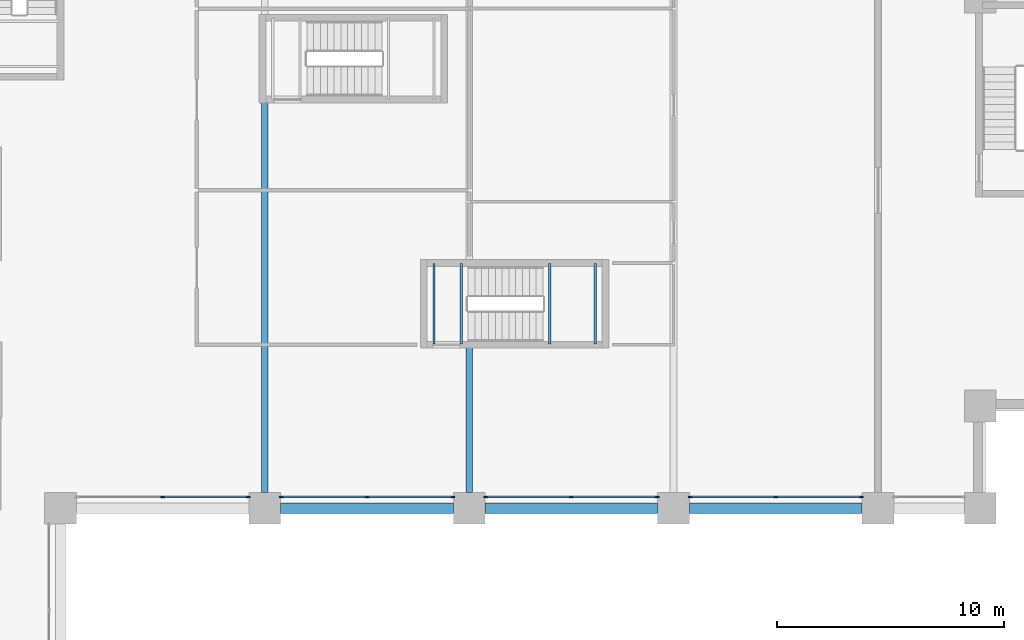
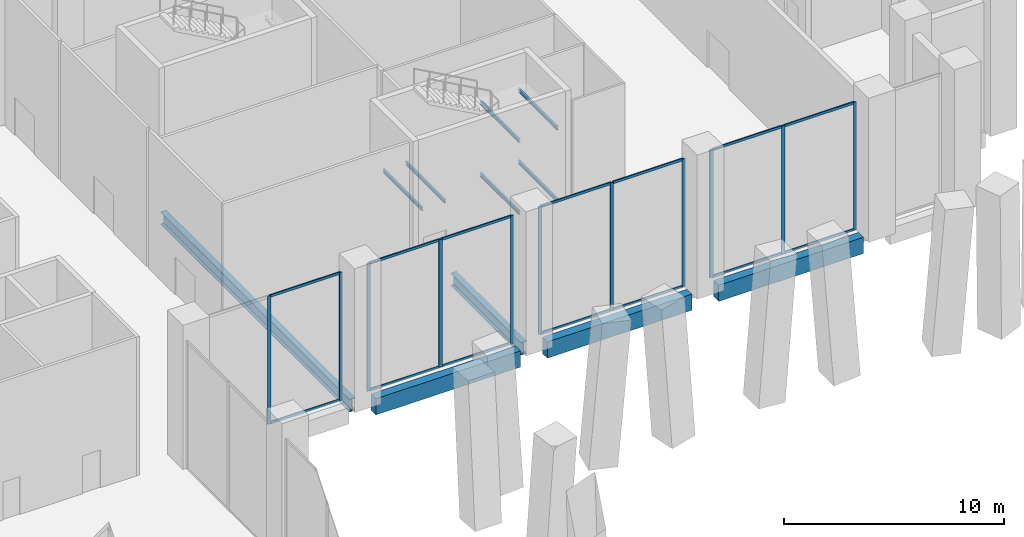
# One storey, part 6 of 19: 25 members, 11 beams, 4 elements without a shape of their own.
"""IFC4 building model written with IfcOpenShell, lengths in metres."""

import ifcopenshell
import ifcopenshell.guid

model = None  # the IFC model being written
_history = None  # IfcOwnerHistory: only IFC2X3 demands one
_inside = {}  # id of a spatial element -> (the spatial element, [elements in it])
_under = {}  # id of a project, library or spatial element -> (it, [spatial elements below it])
_declared = {}  # id of a project -> (the project, [libraries it declares])
_typed = {}  # id of a type object -> (the type object, [elements of that type])
_made_of = {}  # id of a material, layer set ... -> (it, [elements and type objects made of it])


def new_model(schema):
    """Start an empty IFC model of exactly this schema.

    Asked for "IFC4X3", IfcOpenShell would pick the latest addendum, in which some entities
    have other attributes; the version numbers below select the first issue.
    IFC2X3 requires an IfcOwnerHistory on every rooted entity: one is made here for all.
    """
    global model, _history
    if schema == "IFC4X3":
        model = ifcopenshell.file(schema_version=(4, 3, 0, 0))
    else:
        model = ifcopenshell.file(schema=schema)
    _inside.clear()
    _under.clear()
    _declared.clear()
    _typed.clear()
    _made_of.clear()
    _history = None
    if model.schema == "IFC2X3":
        org = make("IfcOrganization", Name="unknown")
        user = make(
            "IfcPersonAndOrganization",
            ThePerson=make("IfcPerson", FamilyName="unknown"),
            TheOrganization=org,
        )
        app = make(
            "IfcApplication",
            ApplicationDeveloper=org,
            Version="unknown",
            ApplicationFullName="unknown",
            ApplicationIdentifier="unknown",
        )
        _history = make(
            "IfcOwnerHistory",
            OwningUser=user,
            OwningApplication=app,
            ChangeAction="ADDED",
            CreationDate=0,
        )
    return model


def make(cls, **values):
    """One entity of the class cls with the attributes given. An attribute that is None is left unset."""
    return model.create_entity(
        cls, **{name: value for name, value in values.items() if value is not None}
    )


def rooted(cls, **values):
    """An entity with a GlobalId (a new one), such as an element, a storey or a relation."""
    return make(cls, GlobalId=ifcopenshell.guid.new(), OwnerHistory=_history, **values)


def si_unit(unit_type, name, prefix=None):
    """IfcSIUnit, for example si_unit("LENGTHUNIT", "METRE", prefix="MILLI")."""
    return make("IfcSIUnit", UnitType=unit_type, Prefix=prefix, Name=name)


def assignment(units):
    """IfcUnitAssignment: the units of a project."""
    return None if units is None else make("IfcUnitAssignment", Units=units)


def point(xyz):
    """IfcCartesianPoint."""
    return None if xyz is None else make("IfcCartesianPoint", Coordinates=xyz)


def direction(xyz):
    """IfcDirection."""
    return None if xyz is None else make("IfcDirection", DirectionRatios=xyz)


def frame(location, z_axis=None, x_axis=None):
    """IfcAxis2Placement3D, a coordinate frame: its origin and axes. An axis left out is left unset."""
    return make(
        "IfcAxis2Placement3D",
        Location=point(location),
        Axis=direction(z_axis),
        RefDirection=direction(x_axis),
    )


def frame_2d(location, x_axis=None):
    """IfcAxis2Placement2D, a coordinate frame in the plane: its origin and x axis."""
    return make(
        "IfcAxis2Placement2D", Location=point(location), RefDirection=direction(x_axis)
    )


def origin():
    """The frame at (0, 0, 0) with its axes left unset."""
    return frame((0.0, 0.0, 0.0))


def origin_2d():
    """The frame at (0, 0) in the plane with its x axis left unset."""
    return frame_2d((0.0, 0.0))


def place(relative_to, where):
    """IfcLocalPlacement: puts the frame where relative to a parent placement (None: the world)."""
    return make(
        "IfcLocalPlacement", PlacementRelTo=relative_to, RelativePlacement=where
    )


def context(
    kind, dimensions, precision=None, world=None, true_north=None, identifier=None
):
    """IfcGeometricRepresentationContext, for example the 3D "Model" context."""
    return make(
        "IfcGeometricRepresentationContext",
        ContextIdentifier=identifier,
        ContextType=kind,
        CoordinateSpaceDimension=dimensions,
        Precision=precision,
        WorldCoordinateSystem=world,
        TrueNorth=true_north,
    )


def subcontext(parent, identifier, kind, view, scale=None):
    """IfcGeometricRepresentationSubContext, for example "Body" below "Model"."""
    return make(
        "IfcGeometricRepresentationSubContext",
        ContextIdentifier=identifier,
        ContextType=kind,
        ParentContext=parent,
        TargetScale=scale,
        TargetView=view,
    )


def project(units=None, contexts=None):
    """IfcProject with its units and contexts."""
    return rooted(
        "IfcProject",
        Name="project",
        RepresentationContexts=contexts,
        UnitsInContext=assignment(units),
    )


def spatial(cls, under=None, at=None, **own):
    """A site, building, storey or space (cls), placed at a placement, below another one or the project."""
    s = rooted(cls, ObjectPlacement=at, **own)
    if under is not None:
        _under.setdefault(under.id(), (under, []))[1].append(s)
    return s


def profile(cls, at=None, kind="AREA", **sizes):
    """A parametric profile (cls). Its sizes go by their IFC names, for example OverallWidth=200.0."""
    return make(cls, ProfileType=kind, Position=at, **sizes)


def rectangle(**sizes):
    """IfcRectangleProfileDef."""
    return profile("IfcRectangleProfileDef", **sizes)


def i_section(**sizes):
    """IfcIShapeProfileDef."""
    return profile("IfcIShapeProfileDef", **sizes)


def extrude(swept, where, along, depth):
    """IfcExtrudedAreaSolid: the profile swept, set in the frame where, extruded along a direction by depth."""
    return make(
        "IfcExtrudedAreaSolid",
        SweptArea=swept,
        Position=where,
        ExtrudedDirection=direction(along),
        Depth=depth,
    )


def shape(context_of_items, identifier, shape_type, items):
    """IfcShapeRepresentation: the items that make up one representation, for example the "Body"."""
    return make(
        "IfcShapeRepresentation",
        ContextOfItems=context_of_items,
        RepresentationIdentifier=identifier,
        RepresentationType=shape_type,
        Items=items,
    )


def material(Name=None, Category=None):
    """IfcMaterial."""
    return make("IfcMaterial", Name=Name, Category=Category)


def material_profile(
    of_material, cross_section, Name=None, Category=None, Priority=None
):
    """IfcMaterialProfile: a cross section and its material."""
    return make(
        "IfcMaterialProfile",
        Name=Name,
        Material=of_material,
        Profile=cross_section,
        Priority=Priority,
        Category=Category,
    )


def profile_set(profiles, Name=None, composite=None):
    """IfcMaterialProfileSet."""
    return make(
        "IfcMaterialProfileSet",
        Name=Name,
        MaterialProfiles=profiles,
        CompositeProfile=composite,
    )


def made_of(thing, what):
    """Note that an element or type object is made of a material, layer set ...; save() writes the relation."""
    if what is not None:
        _made_of.setdefault(what.id(), (what, []))[1].append(thing)
    return thing


def type_object(cls, material=None, **own):
    """A type object (cls), such as IfcWallType, which elements share."""
    return made_of(rooted(cls, **own), material)


def element(
    cls,
    number,
    at=None,
    inside=None,
    cuts=None,
    type_object=None,
    material=None,
    context=None,
    identifier="Body",
    shape_type=None,
    held_by="IfcProductDefinitionShape",
    body=None,
    shapes=None,
    **own,
):
    """One element of the class cls, such as IfcWall. Its Tag is "e" and its number.

    at: its placement. inside: the storey or other place that contains it. cuts: it is an
    opening in that element (IfcRelVoidsElement). A single representation is given by context,
    identifier, shape_type and body (its items); several are given by shapes. held_by: the class
    of the entity that holds the representations. save() writes the other relations.
    """
    e = rooted(cls, Tag="e%d" % number, ObjectPlacement=at, **own)
    if body is not None:
        shapes = [shape(context, identifier, shape_type, body)]
    if shapes is not None:
        e.Representation = make(held_by, Representations=shapes)
    if inside is not None:
        _inside.setdefault(inside.id(), (inside, []))[1].append(e)
    if cuts is not None:
        rooted(
            "IfcRelVoidsElement", RelatingBuildingElement=cuts, RelatedOpeningElement=e
        )
    if type_object is not None:
        _typed.setdefault(type_object.id(), (type_object, []))[1].append(e)
    return made_of(e, material)


def aggregate(whole, parts):
    """IfcRelAggregates: a whole, such as a stair, and the parts it consists of."""
    return rooted("IfcRelAggregates", RelatingObject=whole, RelatedObjects=parts)


def save(model, path):
    """Write the relations noted so far, then the file.

    IfcRelAggregates (storeys below a building ...), IfcRelContainedInSpatialStructure (elements
    in a storey), IfcRelDefinesByType, IfcRelAssociatesMaterial and IfcRelDeclares: one each for
    every whole, place, type object, material and project.
    """
    for whole, parts in _under.values():
        aggregate(whole, parts)
    for where, things in _inside.values():
        rooted(
            "IfcRelContainedInSpatialStructure",
            RelatedElements=things,
            RelatingStructure=where,
        )
    for kind, things in _typed.values():
        rooted("IfcRelDefinesByType", RelatedObjects=things, RelatingType=kind)
    for what, things in _made_of.values():
        rooted("IfcRelAssociatesMaterial", RelatedObjects=things, RelatingMaterial=what)
    for by, libraries in _declared.values():
        rooted("IfcRelDeclares", RelatingContext=by, RelatedDefinitions=libraries)
    model.write(path)


model = new_model("IFC4")

# Units and contexts
model_context = context("Model", 3, precision=1e-05, world=origin(), true_north=direction((0.0, 1.0)))
body_context = subcontext(model_context, "Body", "Model", "MODEL_VIEW")
ifc_project = project(units=[si_unit("LENGTHUNIT", "METRE"), si_unit("AREAUNIT", "SQUARE_METRE"), si_unit("VOLUMEUNIT", "CUBIC_METRE"), si_unit("PLANEANGLEUNIT", "RADIAN"), si_unit("MASSUNIT", "GRAM", prefix="KILO")], contexts=[model_context])

# Site, building, storey
site_placement = place(None, origin())
site = spatial("IfcSite", under=ifc_project, at=site_placement, CompositionType="ELEMENT")
building_placement = place(site_placement, origin())
building = spatial("IfcBuilding", under=site, at=building_placement, Name="Brondeck Convention Tower", CompositionType="ELEMENT")
storey_placement = place(building_placement, frame((0.0, 0.0, 19.5)))
storey = spatial("IfcBuildingStorey", under=building, at=storey_placement, Name="L03", CompositionType="ELEMENT", Elevation=19.5)

# Curtain wall, members
ifc_material_1 = material(Name="Aluminium, bronze anodised", Category="aluminium")
curtain_wall_type = type_object("IfcCurtainWallType", Name="Podium hall curtain wall", PredefinedType="NOTDEFINED", material=ifc_material_1)
curtain_wall_1_placement = place(storey_placement, origin())
curtain_wall_1 = element("IfcCurtainWall", 1, at=curtain_wall_1_placement, inside=storey, type_object=curtain_wall_type, Name="ENV-CW2-L03-A-S-01", PredefinedType="NOTDEFINED")
ifc_material_profile_1 = material_profile(ifc_material_1, rectangle(XDim=0.06005859375, YDim=0.179931640625, at=origin_2d()), Name="CW2 mullion")
ifc_profile_set_1 = profile_set([ifc_material_profile_1], Name="Aluminium, bronze anodised")
member_type_1 = type_object("IfcMemberType", Name="CW2 mullion", PredefinedType="MULLION", material=ifc_profile_set_1)
member_1_placement = place(storey_placement, frame((35.27001953125, 36.5, 0.0), z_axis=(0.0, 0.0, 1.0), x_axis=(0.0, -1.0, 0.0)))
member_1 = element("IfcMember", 2, at=member_1_placement, type_object=member_type_1, Name="CW2 mullion 1", PredefinedType="MULLION", context=body_context, shape_type="SweptSolid", body=[
    extrude(rectangle(XDim=0.06005859375, YDim=0.179931640625, at=origin_2d()), origin(), (0.0, 0.0, 1.0), 7.10009765625),
])
member_2_placement = place(storey_placement, frame((31.5, 36.5, 0.0), z_axis=(0.0, 0.0, 1.0), x_axis=(0.0, -1.0, 0.0)))
member_2 = element("IfcMember", 3, at=member_2_placement, type_object=member_type_1, Name="CW2 mullion 2", PredefinedType="MULLION", context=body_context, shape_type="SweptSolid", body=[
    extrude(rectangle(XDim=0.06005859375, YDim=0.179931640625, at=origin_2d()), origin(), (0.0, 0.0, 1.0), 7.10009765625),
])

curtain_wall_2_placement = place(storey_placement, origin())
curtain_wall_2 = element("IfcCurtainWall", 4, at=curtain_wall_2_placement, inside=storey, type_object=curtain_wall_type, Name="ENV-CW2-L03-A-S-03", PredefinedType="NOTDEFINED")
member_3_placement = place(storey_placement, frame((44.27001953125, 36.5, 0.0), z_axis=(0.0, 0.0, 1.0), x_axis=(0.0, -1.0, 0.0)))
member_3 = element("IfcMember", 5, at=member_3_placement, type_object=member_type_1, Name="CW2 mullion 1", PredefinedType="MULLION", context=body_context, shape_type="SweptSolid", body=[
    extrude(rectangle(XDim=0.06005859375, YDim=0.179931640625, at=origin_2d()), origin(), (0.0, 0.0, 1.0), 7.10009765625),
])
member_4_placement = place(storey_placement, frame((40.5, 36.5, 0.0), z_axis=(0.0, 0.0, 1.0), x_axis=(0.0, -1.0, 0.0)))
member_4 = element("IfcMember", 6, at=member_4_placement, type_object=member_type_1, Name="CW2 mullion 2", PredefinedType="MULLION", context=body_context, shape_type="SweptSolid", body=[
    extrude(rectangle(XDim=0.06005859375, YDim=0.179931640625, at=origin_2d()), origin(), (0.0, 0.0, 1.0), 7.10009765625),
])
member_5_placement = place(storey_placement, frame((36.72998046875, 36.5, 0.0), z_axis=(0.0, 0.0, 1.0), x_axis=(0.0, -1.0, 0.0)))
member_5 = element("IfcMember", 7, at=member_5_placement, type_object=member_type_1, Name="CW2 mullion 3", PredefinedType="MULLION", context=body_context, shape_type="SweptSolid", body=[
    extrude(rectangle(XDim=0.06005859375, YDim=0.179931640625, at=origin_2d()), origin(), (0.0, 0.0, 1.0), 7.10009765625),
])

curtain_wall_3_placement = place(storey_placement, origin())
curtain_wall_3 = element("IfcCurtainWall", 8, at=curtain_wall_3_placement, inside=storey, type_object=curtain_wall_type, Name="ENV-CW2-L03-A-S-05", PredefinedType="NOTDEFINED")
member_6_placement = place(storey_placement, frame((53.27001953125, 36.5, 0.0), z_axis=(0.0, 0.0, 1.0), x_axis=(0.0, -1.0, 0.0)))
member_6 = element("IfcMember", 9, at=member_6_placement, type_object=member_type_1, Name="CW2 mullion 1", PredefinedType="MULLION", context=body_context, shape_type="SweptSolid", body=[
    extrude(rectangle(XDim=0.06005859375, YDim=0.179931640625, at=origin_2d()), origin(), (0.0, 0.0, 1.0), 7.10009765625),
])
member_7_placement = place(storey_placement, frame((49.5, 36.5, 0.0), z_axis=(0.0, 0.0, 1.0), x_axis=(0.0, -1.0, 0.0)))
member_7 = element("IfcMember", 10, at=member_7_placement, type_object=member_type_1, Name="CW2 mullion 2", PredefinedType="MULLION", context=body_context, shape_type="SweptSolid", body=[
    extrude(rectangle(XDim=0.06005859375, YDim=0.179931640625, at=origin_2d()), origin(), (0.0, 0.0, 1.0), 7.10009765625),
])
member_8_placement = place(storey_placement, frame((45.72998046875, 36.5, 0.0), z_axis=(0.0, 0.0, 1.0), x_axis=(0.0, -1.0, 0.0)))
member_8 = element("IfcMember", 11, at=member_8_placement, type_object=member_type_1, Name="CW2 mullion 3", PredefinedType="MULLION", context=body_context, shape_type="SweptSolid", body=[
    extrude(rectangle(XDim=0.06005859375, YDim=0.179931640625, at=origin_2d()), origin(), (0.0, 0.0, 1.0), 7.10009765625),
])

curtain_wall_4_placement = place(storey_placement, origin())
curtain_wall_4 = element("IfcCurtainWall", 12, at=curtain_wall_4_placement, inside=storey, type_object=curtain_wall_type, Name="ENV-CW2-L03-A-S-07", PredefinedType="NOTDEFINED")
member_9_placement = place(storey_placement, frame((62.27001953125, 36.5, 0.0), z_axis=(0.0, 0.0, 1.0), x_axis=(0.0, -1.0, 0.0)))
member_9 = element("IfcMember", 13, at=member_9_placement, type_object=member_type_1, Name="CW2 mullion 1", PredefinedType="MULLION", context=body_context, shape_type="SweptSolid", body=[
    extrude(rectangle(XDim=0.06005859375, YDim=0.179931640625, at=origin_2d()), origin(), (0.0, 0.0, 1.0), 7.10009765625),
])
member_10_placement = place(storey_placement, frame((58.5, 36.5, 0.0), z_axis=(0.0, 0.0, 1.0), x_axis=(0.0, -1.0, 0.0)))
member_10 = element("IfcMember", 14, at=member_10_placement, type_object=member_type_1, Name="CW2 mullion 2", PredefinedType="MULLION", context=body_context, shape_type="SweptSolid", body=[
    extrude(rectangle(XDim=0.06005859375, YDim=0.179931640625, at=origin_2d()), origin(), (0.0, 0.0, 1.0), 7.10009765625),
])
member_11_placement = place(storey_placement, frame((54.72998046875, 36.5, 0.0), z_axis=(0.0, 0.0, 1.0), x_axis=(0.0, -1.0, 0.0)))
member_11 = element("IfcMember", 15, at=member_11_placement, type_object=member_type_1, Name="CW2 mullion 3", PredefinedType="MULLION", context=body_context, shape_type="SweptSolid", body=[
    extrude(rectangle(XDim=0.06005859375, YDim=0.179931640625, at=origin_2d()), origin(), (0.0, 0.0, 1.0), 7.10009765625),
])

# Member
ifc_material_profile_2 = material_profile(ifc_material_1, rectangle(XDim=0.06005859375, YDim=0.139892578125, at=origin_2d()), Name="CW2 transom")
ifc_profile_set_2 = profile_set([ifc_material_profile_2], Name="Aluminium, bronze anodised")
member_type_2 = type_object("IfcMemberType", Name="CW2 transom", PredefinedType="USERDEFINED", material=ifc_profile_set_2)
member_12_placement = place(storey_placement, frame((35.239990234375, 36.5, 0.030029296875), z_axis=(-1.0, 0.0, 0.0), x_axis=(0.0, -1.0, 0.0)))
member_12 = element("IfcMember", 16, at=member_12_placement, type_object=member_type_2, Name="CW2 transom 1.1", ObjectType="TRANSOM", PredefinedType="USERDEFINED", context=body_context, shape_type="SweptSolid", body=[
    extrude(rectangle(XDim=0.06005859375, YDim=0.139892578125, at=origin_2d()), origin(), (0.0, 0.0, 1.0), 3.7099609375),
])

member_13_placement = place(storey_placement, frame((35.239990234375, 36.5, 7.070068359375), z_axis=(-1.0, 0.0, 0.0), x_axis=(0.0, -1.0, 0.0)))
member_13 = element("IfcMember", 17, at=member_13_placement, type_object=member_type_2, Name="CW2 transom 1.2", ObjectType="TRANSOM", PredefinedType="USERDEFINED", context=body_context, shape_type="SweptSolid", body=[
    extrude(rectangle(XDim=0.06005859375, YDim=0.139892578125, at=origin_2d()), origin(), (0.0, 0.0, 1.0), 3.7099609375),
])

aggregate(curtain_wall_1, [member_1, member_2, member_12, member_13])

member_14_placement = place(storey_placement, frame((44.239990234375, 36.5, 0.030029296875), z_axis=(-1.0, 0.0, 0.0), x_axis=(0.0, -1.0, 0.0)))
member_14 = element("IfcMember", 18, at=member_14_placement, type_object=member_type_2, Name="CW2 transom 1.1", ObjectType="TRANSOM", PredefinedType="USERDEFINED", context=body_context, shape_type="SweptSolid", body=[
    extrude(rectangle(XDim=0.06005859375, YDim=0.139892578125, at=origin_2d()), origin(), (0.0, 0.0, 1.0), 3.7099609375),
])

member_15_placement = place(storey_placement, frame((44.239990234375, 36.5, 7.070068359375), z_axis=(-1.0, 0.0, 0.0), x_axis=(0.0, -1.0, 0.0)))
member_15 = element("IfcMember", 19, at=member_15_placement, type_object=member_type_2, Name="CW2 transom 1.2", ObjectType="TRANSOM", PredefinedType="USERDEFINED", context=body_context, shape_type="SweptSolid", body=[
    extrude(rectangle(XDim=0.06005859375, YDim=0.139892578125, at=origin_2d()), origin(), (0.0, 0.0, 1.0), 3.7099609375),
])

member_16_placement = place(storey_placement, frame((40.469970703125, 36.5, 0.030029296875), z_axis=(-1.0, 0.0, 0.0), x_axis=(0.0, -1.0, 0.0)))
member_16 = element("IfcMember", 20, at=member_16_placement, type_object=member_type_2, Name="CW2 transom 2.1", ObjectType="TRANSOM", PredefinedType="USERDEFINED", context=body_context, shape_type="SweptSolid", body=[
    extrude(rectangle(XDim=0.06005859375, YDim=0.139892578125, at=origin_2d()), origin(), (0.0, 0.0, 1.0), 3.7099609375),
])

member_17_placement = place(storey_placement, frame((40.469970703125, 36.5, 7.070068359375), z_axis=(-1.0, 0.0, 0.0), x_axis=(0.0, -1.0, 0.0)))
member_17 = element("IfcMember", 21, at=member_17_placement, type_object=member_type_2, Name="CW2 transom 2.2", ObjectType="TRANSOM", PredefinedType="USERDEFINED", context=body_context, shape_type="SweptSolid", body=[
    extrude(rectangle(XDim=0.06005859375, YDim=0.139892578125, at=origin_2d()), origin(), (0.0, 0.0, 1.0), 3.7099609375),
])

aggregate(curtain_wall_2, [member_3, member_4, member_5, member_14, member_15, member_16, member_17])

member_18_placement = place(storey_placement, frame((53.239990234375, 36.5, 0.030029296875), z_axis=(-1.0, 0.0, 0.0), x_axis=(0.0, -1.0, 0.0)))
member_18 = element("IfcMember", 22, at=member_18_placement, type_object=member_type_2, Name="CW2 transom 1.1", ObjectType="TRANSOM", PredefinedType="USERDEFINED", context=body_context, shape_type="SweptSolid", body=[
    extrude(rectangle(XDim=0.06005859375, YDim=0.139892578125, at=origin_2d()), origin(), (0.0, 0.0, 1.0), 3.7099609375),
])

member_19_placement = place(storey_placement, frame((53.239990234375, 36.5, 7.070068359375), z_axis=(-1.0, 0.0, 0.0), x_axis=(0.0, -1.0, 0.0)))
member_19 = element("IfcMember", 23, at=member_19_placement, type_object=member_type_2, Name="CW2 transom 1.2", ObjectType="TRANSOM", PredefinedType="USERDEFINED", context=body_context, shape_type="SweptSolid", body=[
    extrude(rectangle(XDim=0.06005859375, YDim=0.139892578125, at=origin_2d()), origin(), (0.0, 0.0, 1.0), 3.7099609375),
])

member_20_placement = place(storey_placement, frame((49.469970703125, 36.5, 0.030029296875), z_axis=(-1.0, 0.0, 0.0), x_axis=(0.0, -1.0, 0.0)))
member_20 = element("IfcMember", 24, at=member_20_placement, type_object=member_type_2, Name="CW2 transom 2.1", ObjectType="TRANSOM", PredefinedType="USERDEFINED", context=body_context, shape_type="SweptSolid", body=[
    extrude(rectangle(XDim=0.06005859375, YDim=0.139892578125, at=origin_2d()), origin(), (0.0, 0.0, 1.0), 3.7099609375),
])

member_21_placement = place(storey_placement, frame((49.469970703125, 36.5, 7.070068359375), z_axis=(-1.0, 0.0, 0.0), x_axis=(0.0, -1.0, 0.0)))
member_21 = element("IfcMember", 25, at=member_21_placement, type_object=member_type_2, Name="CW2 transom 2.2", ObjectType="TRANSOM", PredefinedType="USERDEFINED", context=body_context, shape_type="SweptSolid", body=[
    extrude(rectangle(XDim=0.06005859375, YDim=0.139892578125, at=origin_2d()), origin(), (0.0, 0.0, 1.0), 3.7099609375),
])

aggregate(curtain_wall_3, [member_6, member_7, member_8, member_18, member_19, member_20, member_21])

member_22_placement = place(storey_placement, frame((62.239990234375, 36.5, 0.030029296875), z_axis=(-1.0, 0.0, 0.0), x_axis=(0.0, -1.0, 0.0)))
member_22 = element("IfcMember", 26, at=member_22_placement, type_object=member_type_2, Name="CW2 transom 1.1", ObjectType="TRANSOM", PredefinedType="USERDEFINED", context=body_context, shape_type="SweptSolid", body=[
    extrude(rectangle(XDim=0.06005859375, YDim=0.139892578125, at=origin_2d()), origin(), (0.0, 0.0, 1.0), 3.7099609375),
])

member_23_placement = place(storey_placement, frame((62.239990234375, 36.5, 7.070068359375), z_axis=(-1.0, 0.0, 0.0), x_axis=(0.0, -1.0, 0.0)))
member_23 = element("IfcMember", 27, at=member_23_placement, type_object=member_type_2, Name="CW2 transom 1.2", ObjectType="TRANSOM", PredefinedType="USERDEFINED", context=body_context, shape_type="SweptSolid", body=[
    extrude(rectangle(XDim=0.06005859375, YDim=0.139892578125, at=origin_2d()), origin(), (0.0, 0.0, 1.0), 3.7099609375),
])

member_24_placement = place(storey_placement, frame((58.469970703125, 36.5, 0.030029296875), z_axis=(-1.0, 0.0, 0.0), x_axis=(0.0, -1.0, 0.0)))
member_24 = element("IfcMember", 28, at=member_24_placement, type_object=member_type_2, Name="CW2 transom 2.1", ObjectType="TRANSOM", PredefinedType="USERDEFINED", context=body_context, shape_type="SweptSolid", body=[
    extrude(rectangle(XDim=0.06005859375, YDim=0.139892578125, at=origin_2d()), origin(), (0.0, 0.0, 1.0), 3.7099609375),
])

member_25_placement = place(storey_placement, frame((58.469970703125, 36.5, 7.070068359375), z_axis=(-1.0, 0.0, 0.0), x_axis=(0.0, -1.0, 0.0)))
member_25 = element("IfcMember", 29, at=member_25_placement, type_object=member_type_2, Name="CW2 transom 2.2", ObjectType="TRANSOM", PredefinedType="USERDEFINED", context=body_context, shape_type="SweptSolid", body=[
    extrude(rectangle(XDim=0.06005859375, YDim=0.139892578125, at=origin_2d()), origin(), (0.0, 0.0, 1.0), 3.7099609375),
])

aggregate(curtain_wall_4, [member_9, member_10, member_11, member_22, member_23, member_24, member_25])

# Beams
ifc_material_2 = material(Name="Concrete C80/95", Category="concrete")
ifc_material_profile_3 = material_profile(ifc_material_2, rectangle(XDim=0.449951171875, YDim=0.89990234375, at=origin_2d()), Name="Edge beam 450x900 Concrete C80/95")
ifc_profile_set_3 = profile_set([ifc_material_profile_3], Name="Concrete C80/95")
beam_type_1 = type_object("IfcBeamType", Name="Edge beam 450x900 Concrete C80/95", PredefinedType="BEAM", material=ifc_profile_set_3)
for number, where, z_axis, x_axis, name in (
    (30, (36.699951171875, 36.0, -0.449951171875), (1.0, 0.0, 0.0), (0.0, 1.0, 0.0), "STR-SP-L03-010"),
    (31, (45.699951171875, 36.0, -0.449951171875), (1.0, 0.0, 0.0), (0.0, 1.0, 0.0), "STR-SP-L03-011"),
    (32, (54.699951171875, 36.0, -0.449951171875), (1.0, 0.0, 0.0), (0.0, 1.0, 0.0), "STR-SP-L03-012"),
):
    element("IfcBeam", number, at=place(storey_placement, frame(where, z_axis=z_axis, x_axis=x_axis)), inside=storey, type_object=beam_type_1, Name=name, PredefinedType="BEAM", context=body_context, shape_type="SweptSolid", body=[
        extrude(rectangle(XDim=0.449951171875, YDim=0.89990234375, at=origin_2d()), origin(), (0.0, 0.0, 1.0), 7.60009765625),
    ])
ifc_material_3 = material(Name="Steel S355", Category="steel")
ifc_material_profile_4 = material_profile(ifc_material_3, i_section(OverallWidth=0.300048828125, OverallDepth=0.699951171875, WebThickness=0.01708984375, FlangeThickness=0.031982421875, FilletRadius=0.027099609375, at=origin_2d()), Name="HEB 700")
ifc_profile_set_4 = profile_set([ifc_material_profile_4], Name="Steel S355")
beam_type_2 = type_object("IfcBeamType", Name="Girder HEB 700", PredefinedType="BEAM", material=ifc_profile_set_4)
beam_1_placement = place(storey_placement, frame((36.0, 36.699951171875, -0.64990234375), z_axis=(0.0, 1.0, 0.0), x_axis=(-1.0, 0.0, 0.0)))
element("IfcBeam", 33, at=beam_1_placement, inside=storey, type_object=beam_type_2, Name="STR-GR-L03-001", PredefinedType="BEAM", context=body_context, shape_type="SweptSolid", body=[
    extrude(i_section(OverallWidth=0.300048828125, OverallDepth=0.699951171875, WebThickness=0.01708984375, FlangeThickness=0.031982421875, FilletRadius=0.027099609375, at=origin_2d()), origin(), (0.0, 0.0, 1.0), 17.179931640625),
])
beam_2_placement = place(storey_placement, frame((45.0, 36.699951171875, -0.64990234375), z_axis=(0.0, 1.0, 0.0), x_axis=(-1.0, 0.0, 0.0)))
element("IfcBeam", 34, at=beam_2_placement, inside=storey, type_object=beam_type_2, Name="STR-GR-L03-003", PredefinedType="BEAM", context=body_context, shape_type="SweptSolid", body=[
    extrude(i_section(OverallWidth=0.300048828125, OverallDepth=0.699951171875, WebThickness=0.01708984375, FlangeThickness=0.031982421875, FilletRadius=0.027099609375, at=origin_2d()), origin(), (0.0, 0.0, 1.0), 6.380126953125),
])
ifc_material_profile_5 = material_profile(ifc_material_3, i_section(OverallWidth=0.10009765625, OverallDepth=0.199951171875, WebThickness=0.005615234375, FlangeThickness=0.008544921875, FilletRadius=0.011962890625, at=origin_2d()), Name="IPE200")
ifc_profile_set_5 = profile_set([ifc_material_profile_5], Name="Steel S355")
beam_type_3 = type_object("IfcBeamType", Name="Landing ledger beam IPE 200", PredefinedType="BEAM", material=ifc_profile_set_5)
for number, where, z_axis, x_axis, name in (
    (35, (48.550048828125, 43.22998046875, 1.64990234375), (0.0, 1.0, 0.0), (-1.0, 0.0, 0.0), "L03 ST-AF landing beam"),
    (36, (50.550048828125, 43.22998046875, 1.64990234375), (0.0, 1.0, 0.0), (-1.0, 0.0, 0.0), "L03 ST-AF landing beam"),
    (37, (43.449951171875, 43.22998046875, 3.64990234375), (0.0, 1.0, 0.0), (-1.0, 0.0, 0.0), "L03 ST-AF landing beam"),
    (38, (44.64990234375, 43.22998046875, 3.64990234375), (0.0, 1.0, 0.0), (-1.0, 0.0, 0.0), "L03 ST-AF landing beam"),
    (39, (48.550048828125, 43.22998046875, 5.64990234375), (0.0, 1.0, 0.0), (-1.0, 0.0, 0.0), "L03 ST-AF landing beam"),
    (40, (50.550048828125, 43.22998046875, 5.64990234375), (0.0, 1.0, 0.0), (-1.0, 0.0, 0.0), "L03 ST-AF landing beam"),
):
    element("IfcBeam", number, at=place(storey_placement, frame(where, z_axis=z_axis, x_axis=x_axis)), inside=storey, type_object=beam_type_3, Name=name, PredefinedType="BEAM", context=body_context, shape_type="SweptSolid", body=[
        extrude(i_section(OverallWidth=0.10009765625, OverallDepth=0.199951171875, WebThickness=0.005615234375, FlangeThickness=0.008544921875, FilletRadius=0.011962890625, at=origin_2d()), origin(), (0.0, 0.0, 1.0), 3.5400390625),
    ])

save(model, "model.ifc")
